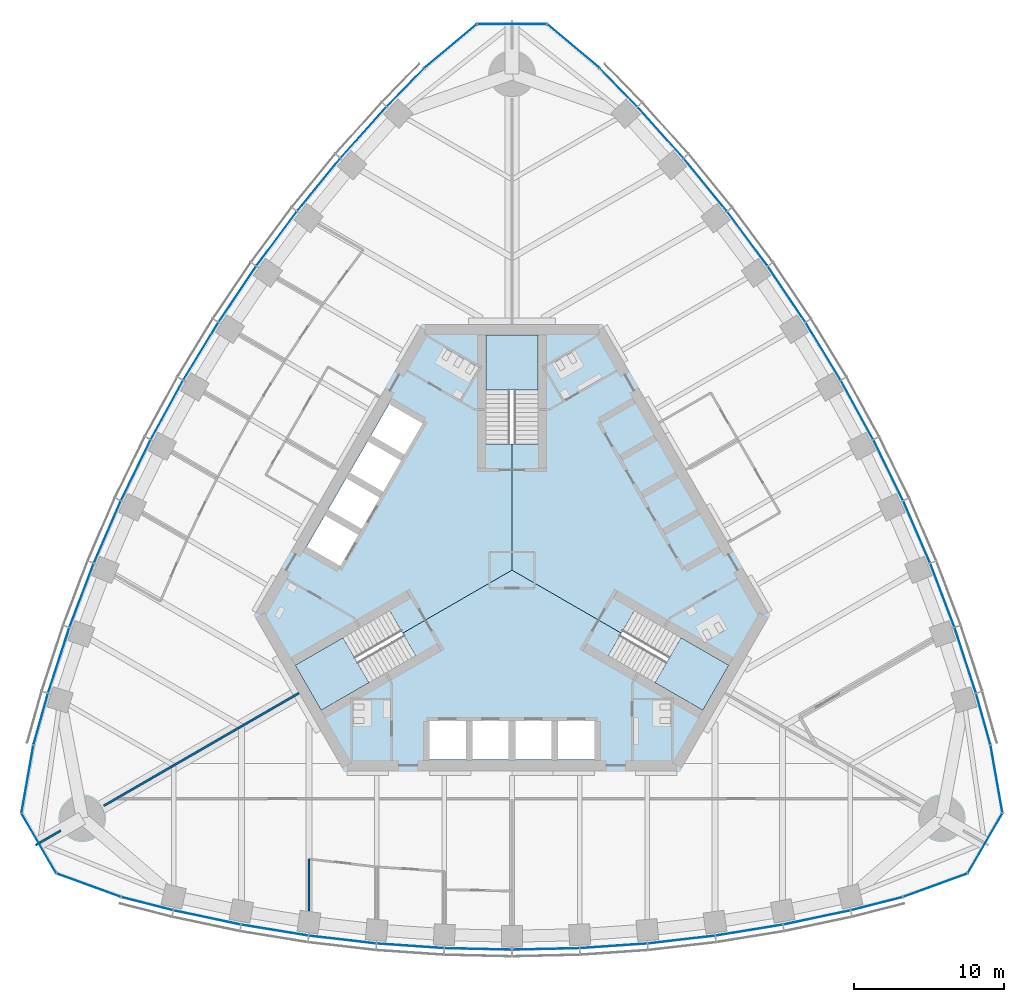
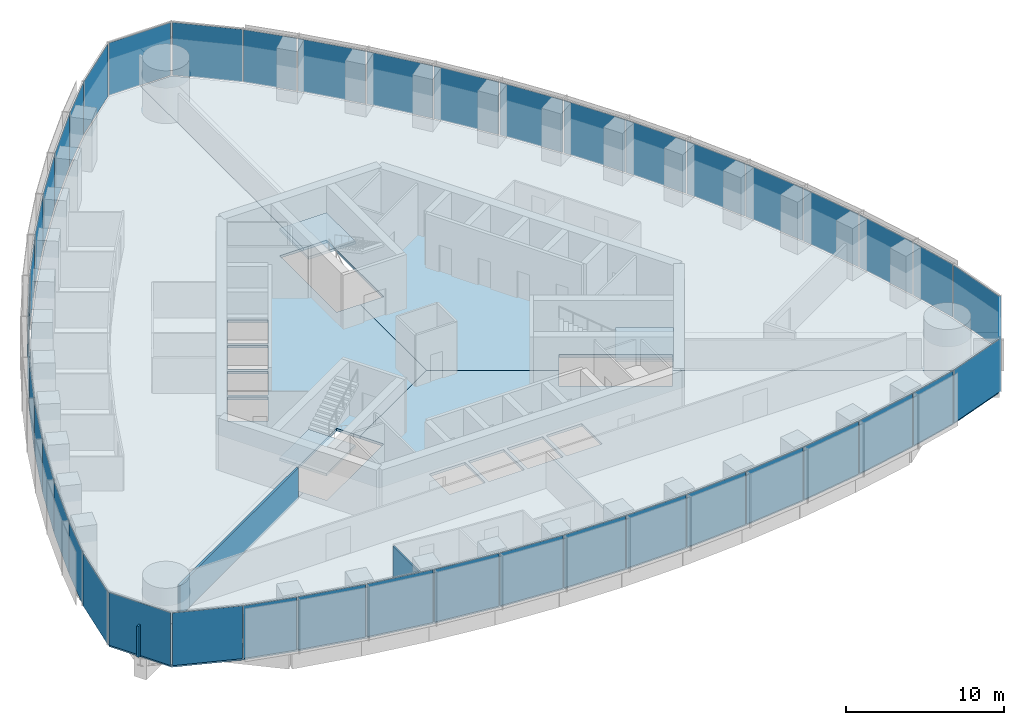
# One storey, part 10 of 19: 45 plates, 6 slabs, 3 walls, 9 elements without a shape of their own.
"""IFC4 building model written with IfcOpenShell, lengths in metres."""

from ifc_helpers import new_model, si_unit, direction, frame, frame_2d, origin, origin_2d, place, context, subcontext, project, spatial, polyline, rectangle, outline, extrude, material, layer, layer_set, type_object, element, aggregate, save


model = new_model("IFC4")

# Units and contexts
model_context = context("Model", 3, precision=1e-05, world=origin(), true_north=direction((0.0, 1.0)))
body_context = subcontext(model_context, "Body", "Model", "MODEL_VIEW")
ifc_project = project(units=[si_unit("LENGTHUNIT", "METRE"), si_unit("AREAUNIT", "SQUARE_METRE"), si_unit("VOLUMEUNIT", "CUBIC_METRE"), si_unit("PLANEANGLEUNIT", "RADIAN"), si_unit("MASSUNIT", "GRAM", prefix="KILO")], contexts=[model_context])

# Site, building, storey
site_placement = place(None, origin())
site = spatial("IfcSite", under=ifc_project, at=site_placement, CompositionType="ELEMENT")
building_placement = place(site_placement, origin())
building = spatial("IfcBuilding", under=site, at=building_placement, Name="Trefoil Bronze Tower", CompositionType="ELEMENT")
storey_placement = place(building_placement, frame((0.0, 0.0, 244.300048828125)))
storey = spatial("IfcBuildingStorey", under=building, at=storey_placement, Name="L56", CompositionType="ELEMENT", Elevation=244.300048828125)

# Curtain wall, plates
ifc_material_1 = material(Name="Tinted solar-control glass", Category="glass")
curtain_wall_type_1 = type_object("IfcCurtainWallType", Name="Bronze office curtain wall", PredefinedType="USERDEFINED", material=ifc_material_1)
curtain_wall_1_placement = place(storey_placement, origin())
curtain_wall_1 = element("IfcCurtainWall", 1, at=curtain_wall_1_placement, inside=storey, type_object=curtain_wall_type_1, Name="CW-A L56 F1", ObjectType="CURTAIN WALL", PredefinedType="USERDEFINED")
ifc_material_2 = material(Name="Tinted solar-control glass", Category="glass")
ifc_layer_1 = layer(ifc_material_2, 0.030029296875)
ifc_layer_set_1 = layer_set([ifc_layer_1], Name="Bronze office curtain wall glass panel")
plate_type_1 = type_object("IfcPlateType", Name="Bronze office curtain wall glass panel", PredefinedType="CURTAIN_PANEL", material=ifc_layer_set_1)
plate_1_placement = place(storey_placement, frame((-24.251220703125, -22.188232421875, 0.0), z_axis=(0.0, 0.0, 1.0), x_axis=(0.968934035393, -0.247319297786, 0.0)))
plate_1 = element("IfcPlate", 2, at=plate_1_placement, type_object=plate_type_1, Name="CW-A L56 F1 panel 1", PredefinedType="CURTAIN_PANEL", context=body_context, shape_type="SweptSolid", body=[
    extrude(rectangle(XDim=3.483642578125, YDim=0.030029296875, at=origin_2d()), origin(), (0.0, 0.0, 1.0), 4.080078125),
])
plate_2_placement = place(storey_placement, frame((-20.270751953125, -23.105224609375, 0.0), z_axis=(0.0, 0.0, 1.0), x_axis=(0.978394335897, -0.20674748725, 0.0)))
plate_2 = element("IfcPlate", 3, at=plate_2_placement, type_object=plate_type_1, Name="CW-A L56 F1 panel 2", PredefinedType="CURTAIN_PANEL", context=body_context, shape_type="SweptSolid", body=[
    extrude(rectangle(XDim=4.519287109375, YDim=0.030029296875, at=origin_2d()), origin(), (0.0, 0.0, 1.0), 4.080078125),
])
plate_3_placement = place(storey_placement, frame((-15.76611328125, -23.9482421875, 0.0), z_axis=(0.0, 0.0, 1.0), x_axis=(0.986986549528, -0.160802832848, 0.0)))
plate_3 = element("IfcPlate", 4, at=plate_3_placement, type_object=plate_type_1, Name="CW-A L56 F1 panel 3", PredefinedType="CURTAIN_PANEL", context=body_context, shape_type="SweptSolid", body=[
    extrude(rectangle(XDim=4.479248046875, YDim=0.030029296875, at=origin_2d()), origin(), (0.0, 0.0, 1.0), 4.080078125),
])
plate_4_placement = place(storey_placement, frame((-11.261474609375, -24.57568359375, 0.0), z_axis=(0.0, 0.0, 1.0), x_axis=(0.993381831741, -0.114858767043, 0.0)))
plate_4 = element("IfcPlate", 5, at=plate_4_placement, type_object=plate_type_1, Name="CW-A L56 F1 panel 4", PredefinedType="CURTAIN_PANEL", context=body_context, shape_type="SweptSolid", body=[
    extrude(rectangle(XDim=4.449951171875, YDim=0.030029296875, at=origin_2d()), origin(), (0.0, 0.0, 1.0), 4.080078125),
])
plate_5_placement = place(storey_placement, frame((-6.7568359375, -24.991455078125, 0.0), z_axis=(0.0, 0.0, 1.0), x_axis=(0.99762252804, -0.068915103905, 0.0)))
plate_5 = element("IfcPlate", 6, at=plate_5_placement, type_object=plate_type_1, Name="CW-A L56 F1 panel 5", PredefinedType="CURTAIN_PANEL", context=body_context, shape_type="SweptSolid", body=[
    extrude(rectangle(XDim=4.4306640625, YDim=0.030029296875, at=origin_2d()), origin(), (0.0, 0.0, 1.0), 4.080078125),
])
plate_6_placement = place(storey_placement, frame((-2.252197265625, -25.198974609375, 0.0), z_axis=(0.0, 0.0, 1.0), x_axis=(0.999736116243, -0.022971675577, 0.0)))
plate_6 = element("IfcPlate", 7, at=plate_6_placement, type_object=plate_type_1, Name="CW-A L56 F1 panel 6", PredefinedType="CURTAIN_PANEL", context=body_context, shape_type="SweptSolid", body=[
    extrude(rectangle(XDim=4.421142578125, YDim=0.030029296875, at=origin_2d()), origin(), (0.0, 0.0, 1.0), 4.080078125),
])
plate_7_placement = place(storey_placement, frame((2.252197265625, -25.198974609375, 0.0), z_axis=(0.0, 0.0, 1.0), x_axis=(0.999736116243, 0.022971675577, 0.0)))
plate_7 = element("IfcPlate", 8, at=plate_7_placement, type_object=plate_type_1, Name="CW-A L56 F1 panel 7", PredefinedType="CURTAIN_PANEL", context=body_context, shape_type="SweptSolid", body=[
    extrude(rectangle(XDim=4.421142578125, YDim=0.030029296875, at=origin_2d()), origin(), (0.0, 0.0, 1.0), 4.080078125),
])
plate_8_placement = place(storey_placement, frame((6.7568359375, -24.991455078125, 0.0), z_axis=(0.0, 0.0, 1.0), x_axis=(0.99762252804, 0.068915103905, 0.0)))
plate_8 = element("IfcPlate", 9, at=plate_8_placement, type_object=plate_type_1, Name="CW-A L56 F1 panel 8", PredefinedType="CURTAIN_PANEL", context=body_context, shape_type="SweptSolid", body=[
    extrude(rectangle(XDim=4.4306640625, YDim=0.030029296875, at=origin_2d()), origin(), (0.0, 0.0, 1.0), 4.080078125),
])
plate_9_placement = place(storey_placement, frame((11.261474609375, -24.57568359375, 0.0), z_axis=(0.0, 0.0, 1.0), x_axis=(0.993381831741, 0.114858767043, 0.0)))
plate_9 = element("IfcPlate", 10, at=plate_9_placement, type_object=plate_type_1, Name="CW-A L56 F1 panel 9", PredefinedType="CURTAIN_PANEL", context=body_context, shape_type="SweptSolid", body=[
    extrude(rectangle(XDim=4.449951171875, YDim=0.030029296875, at=origin_2d()), origin(), (0.0, 0.0, 1.0), 4.080078125),
])
plate_10_placement = place(storey_placement, frame((15.76611328125, -23.9482421875, 0.0), z_axis=(0.0, 0.0, 1.0), x_axis=(0.986986549528, 0.160802832848, 0.0)))
plate_10 = element("IfcPlate", 11, at=plate_10_placement, type_object=plate_type_1, Name="CW-A L56 F1 panel 10", PredefinedType="CURTAIN_PANEL", context=body_context, shape_type="SweptSolid", body=[
    extrude(rectangle(XDim=4.479248046875, YDim=0.030029296875, at=origin_2d()), origin(), (0.0, 0.0, 1.0), 4.080078125),
])
plate_11_placement = place(storey_placement, frame((20.270751953125, -23.105224609375, 0.0), z_axis=(0.0, 0.0, 1.0), x_axis=(0.978394335897, 0.20674748725, 0.0)))
plate_11 = element("IfcPlate", 12, at=plate_11_placement, type_object=plate_type_1, Name="CW-A L56 F1 panel 11", PredefinedType="CURTAIN_PANEL", context=body_context, shape_type="SweptSolid", body=[
    extrude(rectangle(XDim=4.519287109375, YDim=0.030029296875, at=origin_2d()), origin(), (0.0, 0.0, 1.0), 4.080078125),
])
plate_12_placement = place(storey_placement, frame((24.251220703125, -22.188232421875, 0.0), z_axis=(0.0, 0.0, 1.0), x_axis=(0.968934035393, 0.247319297786, 0.0)))
plate_12 = element("IfcPlate", 13, at=plate_12_placement, type_object=plate_type_1, Name="CW-A L56 F1 panel 12", PredefinedType="CURTAIN_PANEL", context=body_context, shape_type="SweptSolid", body=[
    extrude(rectangle(XDim=3.483642578125, YDim=0.030029296875, at=origin_2d()), origin(), (0.0, 0.0, 1.0), 4.080078125),
])
aggregate(curtain_wall_1, [plate_1, plate_2, plate_3, plate_4, plate_5, plate_6, plate_7, plate_8, plate_9, plate_10, plate_11, plate_12])

curtain_wall_2_placement = place(storey_placement, origin())
curtain_wall_2 = element("IfcCurtainWall", 14, at=curtain_wall_2_placement, inside=storey, type_object=curtain_wall_type_1, Name="CW-A L56 F2", ObjectType="CURTAIN WALL", PredefinedType="USERDEFINED")
plate_13_placement = place(storey_placement, frame((31.341064453125, -9.907958984375, 0.0), z_axis=(0.0, 0.0, 1.0), x_axis=(-0.270282222968, 0.962781138134, 0.0)))
plate_13 = element("IfcPlate", 15, at=plate_13_placement, type_object=plate_type_1, Name="CW-A L56 F2 panel 1", PredefinedType="CURTAIN_PANEL", context=body_context, shape_type="SweptSolid", body=[
    extrude(rectangle(XDim=3.483642578125, YDim=0.030029296875, at=origin_2d()), origin(), (0.0, 0.0, 1.0), 4.080078125),
])
plate_14_placement = place(storey_placement, frame((30.14501953125, -6.002197265625, 0.0), z_axis=(0.0, 0.0, 1.0), x_axis=(-0.310148591821, 0.950688093431, 0.0)))
plate_14 = element("IfcPlate", 16, at=plate_14_placement, type_object=plate_type_1, Name="CW-A L56 F2 panel 2", PredefinedType="CURTAIN_PANEL", context=body_context, shape_type="SweptSolid", body=[
    extrude(rectangle(XDim=4.519287109375, YDim=0.030029296875, at=origin_2d()), origin(), (0.0, 0.0, 1.0), 4.080078125),
])
plate_15_placement = place(storey_placement, frame((28.622802734375, -1.6796875, 0.0), z_axis=(0.0, 0.0, 1.0), x_axis=(-0.354233936517, 0.935156841508, 0.0)))
plate_15 = element("IfcPlate", 17, at=plate_15_placement, type_object=plate_type_1, Name="CW-A L56 F2 panel 3", PredefinedType="CURTAIN_PANEL", context=body_context, shape_type="SweptSolid", body=[
    extrude(rectangle(XDim=4.479248046875, YDim=0.030029296875, at=origin_2d()), origin(), (0.0, 0.0, 1.0), 4.080078125),
])
plate_16_placement = place(storey_placement, frame((26.913818359375, 2.53515625, 0.0), z_axis=(0.0, 0.0, 1.0), x_axis=(-0.397220305764, 0.917723285467, 0.0)))
plate_16 = element("IfcPlate", 18, at=plate_16_placement, type_object=plate_type_1, Name="CW-A L56 F2 panel 4", PredefinedType="CURTAIN_PANEL", context=body_context, shape_type="SweptSolid", body=[
    extrude(rectangle(XDim=4.449951171875, YDim=0.030029296875, at=origin_2d()), origin(), (0.0, 0.0, 1.0), 4.080078125),
])
plate_17_placement = place(storey_placement, frame((25.021728515625, 6.64404296875, 0.0), z_axis=(0.0, 0.0, 1.0), x_axis=(-0.439129033334, 0.898424004623, 0.0)))
plate_17 = element("IfcPlate", 19, at=plate_17_placement, type_object=plate_type_1, Name="CW-A L56 F2 panel 5", PredefinedType="CURTAIN_PANEL", context=body_context, shape_type="SweptSolid", body=[
    extrude(rectangle(XDim=4.4306640625, YDim=0.030029296875, at=origin_2d()), origin(), (0.0, 0.0, 1.0), 4.080078125),
])
plate_18_placement = place(storey_placement, frame((22.948974609375, 10.64892578125, 0.0), z_axis=(0.0, 0.0, 1.0), x_axis=(-0.479974003504, 0.877282711536, 0.0)))
plate_18 = element("IfcPlate", 20, at=plate_18_placement, type_object=plate_type_1, Name="CW-A L56 F2 panel 6", PredefinedType="CURTAIN_PANEL", context=body_context, shape_type="SweptSolid", body=[
    extrude(rectangle(XDim=4.421142578125, YDim=0.030029296875, at=origin_2d()), origin(), (0.0, 0.0, 1.0), 4.080078125),
])
plate_19_placement = place(storey_placement, frame((20.69677734375, 14.550048828125, 0.0), z_axis=(0.0, 0.0, 1.0), x_axis=(-0.519762112739, 0.854311035959, 0.0)))
plate_19 = element("IfcPlate", 21, at=plate_19_placement, type_object=plate_type_1, Name="CW-A L56 F2 panel 7", PredefinedType="CURTAIN_PANEL", context=body_context, shape_type="SweptSolid", body=[
    extrude(rectangle(XDim=4.421142578125, YDim=0.030029296875, at=origin_2d()), origin(), (0.0, 0.0, 1.0), 4.080078125),
])
plate_20_placement = place(storey_placement, frame((18.264892578125, 18.347412109375, 0.0), z_axis=(0.0, 0.0, 1.0), x_axis=(-0.558493494706, 0.829508900718, 0.0)))
plate_20 = element("IfcPlate", 22, at=plate_20_placement, type_object=plate_type_1, Name="CW-A L56 F2 panel 8", PredefinedType="CURTAIN_PANEL", context=body_context, shape_type="SweptSolid", body=[
    extrude(rectangle(XDim=4.4306640625, YDim=0.030029296875, at=origin_2d()), origin(), (0.0, 0.0, 1.0), 4.080078125),
])
plate_21_placement = place(storey_placement, frame((15.65234375, 22.04052734375, 0.0), z_axis=(0.0, 0.0, 1.0), x_axis=(-0.596161525977, 0.802864518425, 0.0)))
plate_21 = element("IfcPlate", 23, at=plate_21_placement, type_object=plate_type_1, Name="CW-A L56 F2 panel 9", PredefinedType="CURTAIN_PANEL", context=body_context, shape_type="SweptSolid", body=[
    extrude(rectangle(XDim=4.449951171875, YDim=0.030029296875, at=origin_2d()), origin(), (0.0, 0.0, 1.0), 4.080078125),
])
plate_22_placement = place(storey_placement, frame((12.856689453125, 25.6279296875, 0.0), z_axis=(0.0, 0.0, 1.0), x_axis=(-0.63275261301, 0.774354008661, 0.0)))
plate_22 = element("IfcPlate", 24, at=plate_22_placement, type_object=plate_type_1, Name="CW-A L56 F2 panel 10", PredefinedType="CURTAIN_PANEL", context=body_context, shape_type="SweptSolid", body=[
    extrude(rectangle(XDim=4.479248046875, YDim=0.030029296875, at=origin_2d()), origin(), (0.0, 0.0, 1.0), 4.080078125),
])
plate_23_placement = place(storey_placement, frame((9.87451171875, 29.107666015625, 0.0), z_axis=(0.0, 0.0, 1.0), x_axis=(-0.668245744076, 0.743940606181, 0.0)))
plate_23 = element("IfcPlate", 25, at=plate_23_placement, type_object=plate_type_1, Name="CW-A L56 F2 panel 11", PredefinedType="CURTAIN_PANEL", context=body_context, shape_type="SweptSolid", body=[
    extrude(rectangle(XDim=4.519287109375, YDim=0.030029296875, at=origin_2d()), origin(), (0.0, 0.0, 1.0), 4.080078125),
])
plate_24_placement = place(storey_placement, frame((7.08984375, 32.09619140625, 0.0), z_axis=(0.0, 0.0, 1.0), x_axis=(-0.698651812425, 0.715461840349, 0.0)))
plate_24 = element("IfcPlate", 26, at=plate_24_placement, type_object=plate_type_1, Name="CW-A L56 F2 panel 12", PredefinedType="CURTAIN_PANEL", context=body_context, shape_type="SweptSolid", body=[
    extrude(rectangle(XDim=3.483642578125, YDim=0.030029296875, at=origin_2d()), origin(), (0.0, 0.0, 1.0), 4.080078125),
])
aggregate(curtain_wall_2, [plate_13, plate_14, plate_15, plate_16, plate_17, plate_18, plate_19, plate_20, plate_21, plate_22, plate_23, plate_24])

curtain_wall_3_placement = place(storey_placement, origin())
curtain_wall_3 = element("IfcCurtainWall", 27, at=curtain_wall_3_placement, inside=storey, type_object=curtain_wall_type_1, Name="CW-A L56 F3", ObjectType="CURTAIN WALL", PredefinedType="USERDEFINED")
plate_25_placement = place(storey_placement, frame((-7.08984375, 32.09619140625, 0.0), z_axis=(0.0, 0.0, 1.0), x_axis=(-0.698651812425, -0.715461840349, 0.0)))
plate_25 = element("IfcPlate", 28, at=plate_25_placement, type_object=plate_type_1, Name="CW-A L56 F3 panel 1", PredefinedType="CURTAIN_PANEL", context=body_context, shape_type="SweptSolid", body=[
    extrude(rectangle(XDim=3.483642578125, YDim=0.030029296875, at=origin_2d()), origin(), (0.0, 0.0, 1.0), 4.080078125),
])
plate_26_placement = place(storey_placement, frame((-9.87451171875, 29.107666015625, 0.0), z_axis=(0.0, 0.0, 1.0), x_axis=(-0.668245744076, -0.743940606181, 0.0)))
plate_26 = element("IfcPlate", 29, at=plate_26_placement, type_object=plate_type_1, Name="CW-A L56 F3 panel 2", PredefinedType="CURTAIN_PANEL", context=body_context, shape_type="SweptSolid", body=[
    extrude(rectangle(XDim=4.519287109375, YDim=0.030029296875, at=origin_2d()), origin(), (0.0, 0.0, 1.0), 4.080078125),
])
plate_27_placement = place(storey_placement, frame((-12.856689453125, 25.6279296875, 0.0), z_axis=(0.0, 0.0, 1.0), x_axis=(-0.63275261301, -0.774354008661, 0.0)))
plate_27 = element("IfcPlate", 30, at=plate_27_placement, type_object=plate_type_1, Name="CW-A L56 F3 panel 3", PredefinedType="CURTAIN_PANEL", context=body_context, shape_type="SweptSolid", body=[
    extrude(rectangle(XDim=4.479248046875, YDim=0.030029296875, at=origin_2d()), origin(), (0.0, 0.0, 1.0), 4.080078125),
])
plate_28_placement = place(storey_placement, frame((-15.65234375, 22.04052734375, 0.0), z_axis=(0.0, 0.0, 1.0), x_axis=(-0.596161525977, -0.802864518425, 0.0)))
plate_28 = element("IfcPlate", 31, at=plate_28_placement, type_object=plate_type_1, Name="CW-A L56 F3 panel 4", PredefinedType="CURTAIN_PANEL", context=body_context, shape_type="SweptSolid", body=[
    extrude(rectangle(XDim=4.449951171875, YDim=0.030029296875, at=origin_2d()), origin(), (0.0, 0.0, 1.0), 4.080078125),
])
plate_29_placement = place(storey_placement, frame((-18.264892578125, 18.347412109375, 0.0), z_axis=(0.0, 0.0, 1.0), x_axis=(-0.558493494706, -0.829508900718, 0.0)))
plate_29 = element("IfcPlate", 32, at=plate_29_placement, type_object=plate_type_1, Name="CW-A L56 F3 panel 5", PredefinedType="CURTAIN_PANEL", context=body_context, shape_type="SweptSolid", body=[
    extrude(rectangle(XDim=4.4306640625, YDim=0.030029296875, at=origin_2d()), origin(), (0.0, 0.0, 1.0), 4.080078125),
])
plate_30_placement = place(storey_placement, frame((-20.69677734375, 14.550048828125, 0.0), z_axis=(0.0, 0.0, 1.0), x_axis=(-0.519762112739, -0.854311035959, 0.0)))
plate_30 = element("IfcPlate", 33, at=plate_30_placement, type_object=plate_type_1, Name="CW-A L56 F3 panel 6", PredefinedType="CURTAIN_PANEL", context=body_context, shape_type="SweptSolid", body=[
    extrude(rectangle(XDim=4.421142578125, YDim=0.030029296875, at=origin_2d()), origin(), (0.0, 0.0, 1.0), 4.080078125),
])
plate_31_placement = place(storey_placement, frame((-22.948974609375, 10.64892578125, 0.0), z_axis=(0.0, 0.0, 1.0), x_axis=(-0.479974003504, -0.877282711536, 0.0)))
plate_31 = element("IfcPlate", 34, at=plate_31_placement, type_object=plate_type_1, Name="CW-A L56 F3 panel 7", PredefinedType="CURTAIN_PANEL", context=body_context, shape_type="SweptSolid", body=[
    extrude(rectangle(XDim=4.421142578125, YDim=0.030029296875, at=origin_2d()), origin(), (0.0, 0.0, 1.0), 4.080078125),
])
plate_32_placement = place(storey_placement, frame((-25.021728515625, 6.64404296875, 0.0), z_axis=(0.0, 0.0, 1.0), x_axis=(-0.439129033334, -0.898424004623, 0.0)))
plate_32 = element("IfcPlate", 35, at=plate_32_placement, type_object=plate_type_1, Name="CW-A L56 F3 panel 8", PredefinedType="CURTAIN_PANEL", context=body_context, shape_type="SweptSolid", body=[
    extrude(rectangle(XDim=4.4306640625, YDim=0.030029296875, at=origin_2d()), origin(), (0.0, 0.0, 1.0), 4.080078125),
])
plate_33_placement = place(storey_placement, frame((-26.913818359375, 2.53515625, 0.0), z_axis=(0.0, 0.0, 1.0), x_axis=(-0.397220305764, -0.917723285467, 0.0)))
plate_33 = element("IfcPlate", 36, at=plate_33_placement, type_object=plate_type_1, Name="CW-A L56 F3 panel 9", PredefinedType="CURTAIN_PANEL", context=body_context, shape_type="SweptSolid", body=[
    extrude(rectangle(XDim=4.449951171875, YDim=0.030029296875, at=origin_2d()), origin(), (0.0, 0.0, 1.0), 4.080078125),
])
plate_34_placement = place(storey_placement, frame((-28.622802734375, -1.6796875, 0.0), z_axis=(0.0, 0.0, 1.0), x_axis=(-0.354233936517, -0.935156841508, 0.0)))
plate_34 = element("IfcPlate", 37, at=plate_34_placement, type_object=plate_type_1, Name="CW-A L56 F3 panel 10", PredefinedType="CURTAIN_PANEL", context=body_context, shape_type="SweptSolid", body=[
    extrude(rectangle(XDim=4.479248046875, YDim=0.030029296875, at=origin_2d()), origin(), (0.0, 0.0, 1.0), 4.080078125),
])
plate_35_placement = place(storey_placement, frame((-30.14501953125, -6.002197265625, 0.0), z_axis=(0.0, 0.0, 1.0), x_axis=(-0.310148591821, -0.950688093431, 0.0)))
plate_35 = element("IfcPlate", 38, at=plate_35_placement, type_object=plate_type_1, Name="CW-A L56 F3 panel 11", PredefinedType="CURTAIN_PANEL", context=body_context, shape_type="SweptSolid", body=[
    extrude(rectangle(XDim=4.519287109375, YDim=0.030029296875, at=origin_2d()), origin(), (0.0, 0.0, 1.0), 4.080078125),
])
plate_36_placement = place(storey_placement, frame((-31.341064453125, -9.907958984375, 0.0), z_axis=(0.0, 0.0, 1.0), x_axis=(-0.270282222968, -0.962781138134, 0.0)))
plate_36 = element("IfcPlate", 39, at=plate_36_placement, type_object=plate_type_1, Name="CW-A L56 F3 panel 12", PredefinedType="CURTAIN_PANEL", context=body_context, shape_type="SweptSolid", body=[
    extrude(rectangle(XDim=3.483642578125, YDim=0.030029296875, at=origin_2d()), origin(), (0.0, 0.0, 1.0), 4.080078125),
])
aggregate(curtain_wall_3, [plate_25, plate_26, plate_27, plate_28, plate_29, plate_30, plate_31, plate_32, plate_33, plate_34, plate_35, plate_36])

ifc_material_3 = material(Name="Tinted solar-control glass", Category="glass")
curtain_wall_type_2 = type_object("IfcCurtainWallType", Name="Bronze rounded corner curtain wall", PredefinedType="USERDEFINED", material=ifc_material_3)
curtain_wall_4_placement = place(storey_placement, origin())
curtain_wall_4 = element("IfcCurtainWall", 40, at=curtain_wall_4_placement, inside=storey, type_object=curtain_wall_type_2, Name="CW-B L56 K1", ObjectType="CURTAIN WALL", PredefinedType="USERDEFINED")
ifc_material_4 = material(Name="Tinted solar-control glass", Category="glass")
ifc_layer_2 = layer(ifc_material_4, 0.030029296875)
ifc_layer_set_2 = layer_set([ifc_layer_2], Name="Bronze rounded corner curtain wall glass panel")
plate_type_2 = type_object("IfcPlateType", Name="Bronze rounded corner curtain wall glass panel", PredefinedType="CURTAIN_PANEL", material=ifc_layer_set_2)
plate_37_placement = place(storey_placement, frame((28.1298828125, -20.96484375, 0.0), z_axis=(0.0, 0.0, 1.0), x_axis=(0.939692620786, 0.342020143326, 0.0)))
plate_37 = element("IfcPlate", 41, at=plate_37_placement, type_object=plate_type_2, Name="CW-B L56 K1 panel 1", PredefinedType="CURTAIN_PANEL", context=body_context, shape_type="SweptSolid", body=[
    extrude(rectangle(XDim=4.500244140625, YDim=0.030029296875, at=origin_2d()), origin(), (0.0, 0.0, 1.0), 4.080078125),
])
plate_38_placement = place(storey_placement, frame((31.46484375, -18.166259765625, 0.0), z_axis=(0.0, 0.0, 1.0), x_axis=(0.5, 0.866025403784, 0.0)))
plate_38 = element("IfcPlate", 42, at=plate_38_placement, type_object=plate_type_2, Name="CW-B L56 K1 panel 2", PredefinedType="CURTAIN_PANEL", context=body_context, shape_type="SweptSolid", body=[
    extrude(rectangle(XDim=4.500244140625, YDim=0.030029296875, at=origin_2d()), origin(), (0.0, 0.0, 1.0), 4.080078125),
])
plate_39_placement = place(storey_placement, frame((32.220947265625, -13.878662109375, 0.0), z_axis=(0.0, 0.0, 1.0), x_axis=(-0.173648177667, 0.984807753012, 0.0)))
plate_39 = element("IfcPlate", 43, at=plate_39_placement, type_object=plate_type_2, Name="CW-B L56 K1 panel 3", PredefinedType="CURTAIN_PANEL", context=body_context, shape_type="SweptSolid", body=[
    extrude(rectangle(XDim=4.500244140625, YDim=0.030029296875, at=origin_2d()), origin(), (0.0, 0.0, 1.0), 4.080078125),
])
aggregate(curtain_wall_4, [plate_37, plate_38, plate_39])

curtain_wall_5_placement = place(storey_placement, origin())
curtain_wall_5 = element("IfcCurtainWall", 44, at=curtain_wall_5_placement, inside=storey, type_object=curtain_wall_type_2, Name="CW-B L56 K2", ObjectType="CURTAIN WALL", PredefinedType="USERDEFINED")
plate_40_placement = place(storey_placement, frame((4.091064453125, 34.843505859375, 0.0), z_axis=(0.0, 0.0, 1.0), x_axis=(-0.766044443119, 0.642787609687, 0.0)))
plate_40 = element("IfcPlate", 45, at=plate_40_placement, type_object=plate_type_2, Name="CW-B L56 K2 panel 1", PredefinedType="CURTAIN_PANEL", context=body_context, shape_type="SweptSolid", body=[
    extrude(rectangle(XDim=4.500244140625, YDim=0.030029296875, at=origin_2d()), origin(), (0.0, 0.0, 1.0), 4.080078125),
])
plate_41_placement = place(storey_placement, frame((0.0, 36.33251953125, 0.0), z_axis=(0.0, 0.0, 1.0), x_axis=(-1.0, 0.0, 0.0)))
plate_41 = element("IfcPlate", 46, at=plate_41_placement, type_object=plate_type_2, Name="CW-B L56 K2 panel 2", PredefinedType="CURTAIN_PANEL", context=body_context, shape_type="SweptSolid", body=[
    extrude(rectangle(XDim=4.500244140625, YDim=0.030029296875, at=origin_2d()), origin(), (0.0, 0.0, 1.0), 4.080078125),
])
plate_42_placement = place(storey_placement, frame((-4.091064453125, 34.843505859375, 0.0), z_axis=(0.0, 0.0, 1.0), x_axis=(-0.766044443119, -0.642787609687, 0.0)))
plate_42 = element("IfcPlate", 47, at=plate_42_placement, type_object=plate_type_2, Name="CW-B L56 K2 panel 3", PredefinedType="CURTAIN_PANEL", context=body_context, shape_type="SweptSolid", body=[
    extrude(rectangle(XDim=4.500244140625, YDim=0.030029296875, at=origin_2d()), origin(), (0.0, 0.0, 1.0), 4.080078125),
])
aggregate(curtain_wall_5, [plate_40, plate_41, plate_42])

curtain_wall_6_placement = place(storey_placement, origin())
curtain_wall_6 = element("IfcCurtainWall", 48, at=curtain_wall_6_placement, inside=storey, type_object=curtain_wall_type_2, Name="CW-B L56 K3", ObjectType="CURTAIN WALL", PredefinedType="USERDEFINED")
plate_43_placement = place(storey_placement, frame((-32.220947265625, -13.878662109375, 0.0), z_axis=(0.0, 0.0, 1.0), x_axis=(-0.173648177667, -0.984807753012, 0.0)))
plate_43 = element("IfcPlate", 49, at=plate_43_placement, type_object=plate_type_2, Name="CW-B L56 K3 panel 1", PredefinedType="CURTAIN_PANEL", context=body_context, shape_type="SweptSolid", body=[
    extrude(rectangle(XDim=4.500244140625, YDim=0.030029296875, at=origin_2d()), origin(), (0.0, 0.0, 1.0), 4.080078125),
])
plate_44_placement = place(storey_placement, frame((-31.46484375, -18.166259765625, 0.0), z_axis=(0.0, 0.0, 1.0), x_axis=(0.5, -0.866025403784, 0.0)))
plate_44 = element("IfcPlate", 50, at=plate_44_placement, type_object=plate_type_2, Name="CW-B L56 K3 panel 2", PredefinedType="CURTAIN_PANEL", context=body_context, shape_type="SweptSolid", body=[
    extrude(rectangle(XDim=4.500244140625, YDim=0.030029296875, at=origin_2d()), origin(), (0.0, 0.0, 1.0), 4.080078125),
])
plate_45_placement = place(storey_placement, frame((-28.1298828125, -20.96484375, 0.0), z_axis=(0.0, 0.0, 1.0), x_axis=(0.939692620786, -0.342020143326, 0.0)))
plate_45 = element("IfcPlate", 51, at=plate_45_placement, type_object=plate_type_2, Name="CW-B L56 K3 panel 3", PredefinedType="CURTAIN_PANEL", context=body_context, shape_type="SweptSolid", body=[
    extrude(rectangle(XDim=4.500244140625, YDim=0.030029296875, at=origin_2d()), origin(), (0.0, 0.0, 1.0), 4.080078125),
])
aggregate(curtain_wall_6, [plate_43, plate_44, plate_45])

# Slabs
ifc_material_5 = material(Name="Concrete B30", Category="concrete")
ifc_layer_3 = layer(ifc_material_5, 0.199951171875)
ifc_layer_set_3 = layer_set([ifc_layer_3], Name="Floor slab 200")
slab_type_1 = type_object("IfcSlabType", Name="Floor slab 200", PredefinedType="FLOOR", material=ifc_layer_set_3)
slab_1_placement = place(storey_placement, frame((0.0, 0.0, -0.199951171875)))
element("IfcSlab", 52, at=slab_1_placement, inside=storey, type_object=slab_type_1, Name="Floor slab L56 face 1", PredefinedType="FLOOR", context=body_context, shape_type="SweptSolid", body=[
    extrude(outline(polyline([(18.0, -23.48291015625), (13.5, -24.216064453125), (9.0, -24.736328125), (4.5, -25.047119140625), (0.0, -25.150634765625), (-4.5, -25.047119140625), (-9.0, -24.736328125), (-13.5, -24.216064453125), (-18.0, -23.48291015625), (-22.5, -22.531982421875), (-25.952880859375, -21.650634765625), (-30.23828125, -20.0908203125), (-31.37841796875, -18.1162109375), (-13.510009765625, -7.800048828125), (-12.6474609375, -9.2939453125), (-6.412109375, -5.69384765625), (-7.274658203125, -4.199951171875), (0.0, 0.0), (7.274658203125, -4.199951171875), (6.412109375, -5.69384765625), (12.6474609375, -9.2939453125), (13.510009765625, -7.800048828125), (31.37841796875, -18.1162109375), (30.23828125, -20.0908203125), (25.952880859375, -21.650634765625), (22.5, -22.531982421875), (18.0, -23.48291015625)]), holes=[polyline([(-5.574951171875, -10.02490234375), (-2.97509765625, -10.02490234375), (-2.97509765625, -12.60009765625), (-5.574951171875, -12.60009765625), (-5.574951171875, -10.02490234375)]), polyline([(-2.72509765625, -10.02490234375), (-0.125, -10.02490234375), (-0.125, -12.60009765625), (-2.72509765625, -12.60009765625), (-2.72509765625, -10.02490234375)]), polyline([(0.125, -10.02490234375), (2.72509765625, -10.02490234375), (2.72509765625, -12.60009765625), (0.125, -12.60009765625), (0.125, -10.02490234375)]), polyline([(2.97509765625, -10.02490234375), (5.574951171875, -10.02490234375), (5.574951171875, -12.60009765625), (2.97509765625, -12.60009765625), (2.97509765625, -10.02490234375)])]), origin(), (0.0, 0.0, 1.0), 0.199951171875),
])
slab_2_placement = place(storey_placement, frame((0.0, 0.0, -0.199951171875)))
element("IfcSlab", 53, at=slab_2_placement, inside=storey, type_object=slab_type_1, Name="Floor slab L56 face 2", PredefinedType="FLOOR", context=body_context, shape_type="SweptSolid", body=[
    extrude(outline(polyline([(11.3369140625, 27.329833984375), (14.2216796875, 23.79931640625), (16.92236328125, 20.162353515625), (19.441650390625, 16.420654296875), (21.781005859375, 12.575439453125), (23.941650390625, 8.62646484375), (25.92236328125, 4.573974609375), (27.7216796875, 0.416748046875), (29.3369140625, -3.846923828125), (30.76318359375, -8.219482421875), (31.7265625, -11.650634765625), (32.518310546875, -16.1416015625), (31.37841796875, -18.1162109375), (13.510009765625, -7.800048828125), (14.37255859375, -6.30615234375), (8.13720703125, -2.7060546875), (7.274658203125, -4.199951171875), (0.0, 0.0), (0.0, 8.39990234375), (1.72509765625, 8.39990234375), (1.72509765625, 15.60009765625), (0.0, 15.60009765625), (0.0, 36.232666015625), (2.280029296875, 36.232666015625), (5.7734375, 33.30126953125), (8.26318359375, 30.75146484375), (11.3369140625, 27.329833984375)])), origin(), (0.0, 0.0, 1.0), 0.199951171875),
])
slab_3_placement = place(storey_placement, frame((0.0, 0.0, -0.199951171875)))
element("IfcSlab", 54, at=slab_3_placement, inside=storey, type_object=slab_type_1, Name="Floor slab L56 face 3", PredefinedType="FLOOR", context=body_context, shape_type="SweptSolid", body=[
    extrude(outline(polyline([(-29.3369140625, -3.846923828125), (-27.7216796875, 0.416748046875), (-25.92236328125, 4.573974609375), (-23.941650390625, 8.62646484375), (-21.781005859375, 12.575439453125), (-19.441650390625, 16.420654296875), (-16.92236328125, 20.162353515625), (-14.2216796875, 23.79931640625), (-11.3369140625, 27.329833984375), (-8.26318359375, 30.75146484375), (-5.7734375, 33.30126953125), (-2.280029296875, 36.232666015625), (0.0, 36.232666015625), (0.0, 15.60009765625), (-1.72509765625, 15.60009765625), (-1.72509765625, 8.39990234375), (0.0, 8.39990234375), (0.0, 0.0), (-7.274658203125, -4.199951171875), (-8.13720703125, -2.7060546875), (-14.37255859375, -6.30615234375), (-13.510009765625, -7.800048828125), (-31.37841796875, -18.1162109375), (-32.518310546875, -16.1416015625), (-31.7265625, -11.650634765625), (-30.76318359375, -8.219482421875), (-29.3369140625, -3.846923828125)]), holes=[polyline([(-5.894287109375, 9.840576171875), (-7.1943359375, 7.5888671875), (-9.42431640625, 8.87646484375), (-8.12451171875, 11.128173828125), (-5.894287109375, 9.840576171875)]), polyline([(-7.3193359375, 7.372314453125), (-8.619384765625, 5.120849609375), (-10.849365234375, 6.408203125), (-9.54931640625, 8.659912109375), (-7.3193359375, 7.372314453125)]), polyline([(-8.744384765625, 4.904296875), (-10.04443359375, 2.652587890625), (-12.2744140625, 3.940185546875), (-10.974365234375, 6.191650390625), (-8.744384765625, 4.904296875)]), polyline([(-10.16943359375, 2.43603515625), (-11.469482421875, 0.184326171875), (-13.699462890625, 1.471923828125), (-12.3994140625, 3.7236328125), (-10.16943359375, 2.43603515625)])]), origin(), (0.0, 0.0, 1.0), 0.199951171875),
])

# Stair, slab
ifc_material_6 = material(Name="Precast concrete B80", Category="concrete")
stair_type = type_object("IfcStairType", Name="Exit stair 26 risers", PredefinedType="HALF_TURN_STAIR", material=ifc_material_6)
stair_1_placement = place(storey_placement, origin())
stair_1 = element("IfcStair", 55, at=stair_1_placement, inside=storey, type_object=stair_type, Name="Stair ST1 L56", PredefinedType="HALF_TURN_STAIR")
ifc_material_7 = material(Name="Concrete B30", Category="concrete")
ifc_layer_4 = layer(ifc_material_7, 0.199951171875)
ifc_layer_set_4 = layer_set([ifc_layer_4], Name="Stair landing 200")
slab_type_2 = type_object("IfcSlabType", Name="Stair landing 200", PredefinedType="LANDING", material=ifc_layer_set_4)
slab_4_placement = place(storey_placement, frame((0.0, 0.0, 1.89990234375)))
slab_4 = element("IfcSlab", 56, at=slab_4_placement, type_object=slab_type_2, Name="ST1 landing 1", PredefinedType="LANDING", context=body_context, shape_type="SweptSolid", body=[
    extrude(outline(polyline([(9.512451171875, -7.48388671875), (12.69091796875, -9.31884765625), (14.415771484375, -6.3310546875), (11.237548828125, -4.49609375), (9.512451171875, -7.48388671875)])), origin(), (0.0, 0.0, 1.0), 0.199951171875),
])
aggregate(stair_1, [slab_4])

stair_2_placement = place(storey_placement, origin())
stair_2 = element("IfcStair", 57, at=stair_2_placement, inside=storey, type_object=stair_type, Name="Stair ST2 L56", PredefinedType="HALF_TURN_STAIR")
slab_5_placement = place(storey_placement, frame((0.0, 0.0, 1.89990234375)))
slab_5 = element("IfcSlab", 58, at=slab_5_placement, type_object=slab_type_2, Name="ST2 landing 1", PredefinedType="LANDING", context=body_context, shape_type="SweptSolid", body=[
    extrude(outline(polyline([(1.72509765625, 11.97998046875), (1.72509765625, 15.64990234375), (-1.72509765625, 15.64990234375), (-1.72509765625, 11.97998046875), (1.72509765625, 11.97998046875)])), origin(), (0.0, 0.0, 1.0), 0.199951171875),
])
aggregate(stair_2, [slab_5])

stair_3_placement = place(storey_placement, origin())
stair_3 = element("IfcStair", 59, at=stair_3_placement, inside=storey, type_object=stair_type, Name="Stair ST3 L56", PredefinedType="HALF_TURN_STAIR")
slab_6_placement = place(storey_placement, frame((0.0, 0.0, 1.89990234375)))
slab_6 = element("IfcSlab", 60, at=slab_6_placement, type_object=slab_type_2, Name="ST3 landing 1", PredefinedType="LANDING", context=body_context, shape_type="SweptSolid", body=[
    extrude(outline(polyline([(-11.237548828125, -4.49609375), (-14.415771484375, -6.3310546875), (-12.69091796875, -9.31884765625), (-9.512451171875, -7.48388671875), (-11.237548828125, -4.49609375)])), origin(), (0.0, 0.0, 1.0), 0.199951171875),
])
aggregate(stair_3, [slab_6])

# Walls
ifc_material_8 = material(Name="Glazed partition", Category="glass")
ifc_layer_5 = layer(ifc_material_8, 0.1201171875)
ifc_layer_set_5 = layer_set([ifc_layer_5], Name="Glazed partition 120")
wall_type_1 = type_object("IfcWallType", Name="Glazed partition 120", PredefinedType="PARTITIONING", material=ifc_layer_set_5)
wall_1_placement = place(storey_placement, frame((-13.5, -19.216064453125, 0.0), z_axis=(0.0, 0.0, 1.0), x_axis=(0.0, -1.0, 0.0)))
element("IfcWall", 61, at=wall_1_placement, inside=storey, type_object=wall_type_1, Name="Partition F1 L56", PredefinedType="PARTITIONING", context=body_context, shape_type="SweptSolid", body=[
    extrude(rectangle(XDim=3.455322265625, YDim=0.1201171875, at=frame_2d((1.7275390625, 0.0))), origin(), (0.0, 0.0, 1.0), 2.800048828125),
])
ifc_material_9 = material(Name="Gypsum board on steel studs", Category="steel")
ifc_layer_6 = layer(ifc_material_9, 0.14990234375)
ifc_layer_set_6 = layer_set([ifc_layer_6], Name="Party wall 150")
wall_type_2 = type_object("IfcWallType", Name="Party wall 150", PredefinedType="PARTITIONING", material=ifc_layer_set_6)
wall_2_placement = place(storey_placement, frame((-14.159423828125, -8.175048828125, 0.0), z_axis=(0.0, 0.0, 1.0), x_axis=(-0.866027028085, -0.499997186618, 0.0)))
element("IfcWall", 62, at=wall_2_placement, inside=storey, type_object=wall_type_2, Name="Party wall K3 L56", PredefinedType="PARTITIONING", context=body_context, shape_type="SweptSolid", body=[
    extrude(rectangle(XDim=15.0, YDim=0.14990234375, at=frame_2d((7.5, 0.0))), origin(), (0.0, 0.0, 1.0), 2.39990234375),
])
wall_3_placement = place(storey_placement, frame((-30.0078125, -17.324951171875, 0.0), z_axis=(0.0, 0.0, 1.0), x_axis=(-0.866013246922, -0.500021055713, 0.0)))
element("IfcWall", 63, at=wall_3_placement, inside=storey, type_object=wall_type_2, Name="Party wall K3 L56", PredefinedType="PARTITIONING", context=body_context, shape_type="SweptSolid", body=[
    extrude(rectangle(XDim=1.9345703125, YDim=0.14990234375, at=frame_2d((0.96728515625, 0.0))), origin(), (0.0, 0.0, 1.0), 2.39990234375),
])

save(model, "model.ifc")
